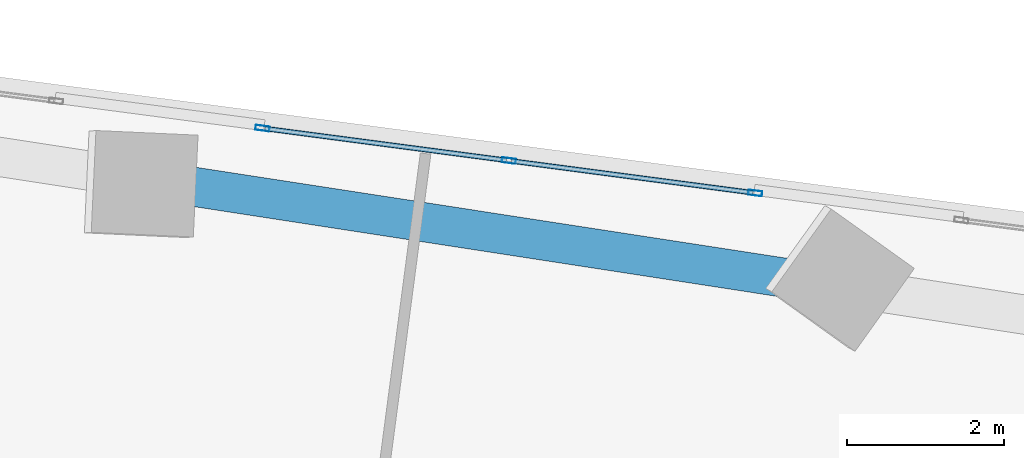
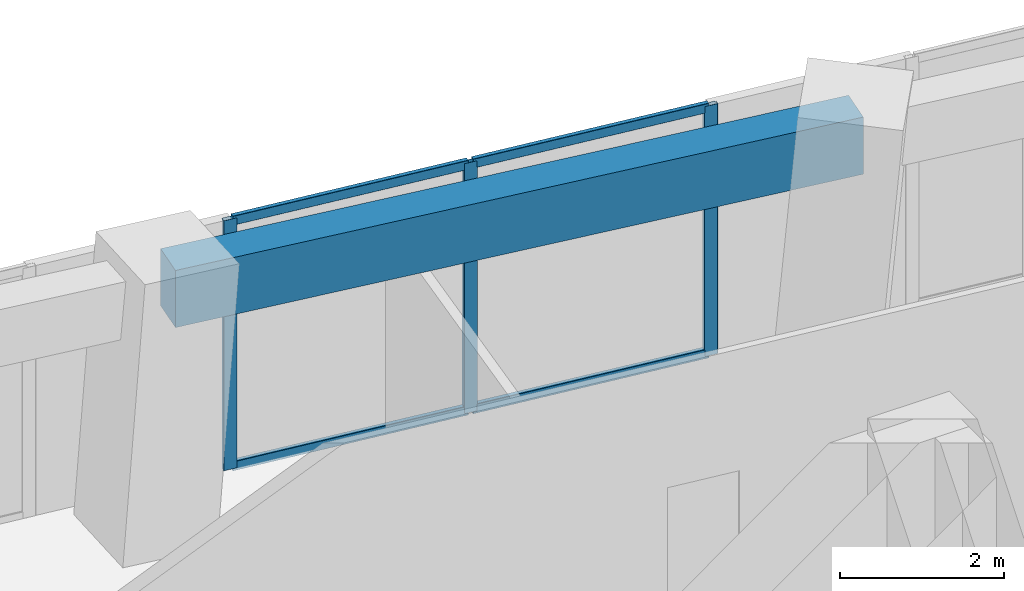
# One storey, part 16 of 24: 7 members, 1 beam, 1 element without a shape of its own.
"""IFC4 building model written with IfcOpenShell, lengths in metres."""

from ifc_helpers import new_model, si_unit, direction, frame, origin, origin_2d, place, context, subcontext, project, spatial, rectangle, hollow_rectangle, extrude, source, transform, mapped, material, material_profile, profile_set, type_object, element, aggregate, save


model = new_model("IFC4")

# Units and contexts
model_context = context("Model", 3, precision=1e-05, world=origin(), true_north=direction((0.0, 1.0)))
body_context = subcontext(model_context, "Body", "Model", "MODEL_VIEW")
ifc_project = project(units=[si_unit("LENGTHUNIT", "METRE"), si_unit("AREAUNIT", "SQUARE_METRE"), si_unit("VOLUMEUNIT", "CUBIC_METRE"), si_unit("PLANEANGLEUNIT", "RADIAN"), si_unit("MASSUNIT", "GRAM", prefix="KILO")], contexts=[model_context])

# Site, building, storey
site_placement = place(None, origin())
site = spatial("IfcSite", under=ifc_project, at=site_placement, CompositionType="ELEMENT")
building_placement = place(site_placement, origin())
building = spatial("IfcBuilding", under=site, at=building_placement, Name="Torre Montelarca", CompositionType="ELEMENT")
storey_placement = place(building_placement, frame((0.0, 0.0, 66.39990234375)))
storey = spatial("IfcBuildingStorey", under=building, at=storey_placement, Name="L14", CompositionType="ELEMENT", Elevation=66.39990234375)

# Beam
ifc_material_1 = material(Name="Concrete C55/67", Category="concrete")
ifc_material_profile_1 = material_profile(ifc_material_1, rectangle(XDim=0.5, YDim=0.85009765625, at=origin_2d()), Name="RCB500X850", Category="concrete")
ifc_profile_set_1 = profile_set([ifc_material_profile_1], Name="Concrete C55/67")
beam_type = type_object("IfcBeamType", Name="BM-SP-RC850-EXT", PredefinedType="SPANDREL", material=ifc_profile_set_1)
shared_shape_1 = source(origin(), body_context, "Body", "SweptSolid", [
    extrude(rectangle(XDim=0.5, YDim=0.85009765625, at=origin_2d()), origin(), (0.0, 0.0, 1.0), 9.0),
])
beam_placement = place(storey_placement, frame((20.345458984375, 47.506103515625, 3.53515625), z_axis=(0.988361032706, -0.152126490227, 0.0), x_axis=(0.152126490227, 0.988361032706, 0.0)))
element("IfcBeam", 1, at=beam_placement, inside=storey, type_object=beam_type, Name="L14 Grid Girder X 18.0-27.0 at Y=47.1", PredefinedType="SPANDREL", context=body_context, shape_type="MappedRepresentation", body=[
    mapped(shared_shape_1, transform((0.0, 0.0, 0.0), scale=1.0)),
])

# Curtain wall, members
ifc_material_2 = material(Name="Insulated low-E laminated glass", Category="glass")
curtain_wall_type = type_object("IfcCurtainWallType", Name="CW-SYS-Z1", PredefinedType="USERDEFINED", material=ifc_material_2)
curtain_wall_placement = place(storey_placement, origin())
curtain_wall = element("IfcCurtainWall", 2, at=curtain_wall_placement, inside=storey, type_object=curtain_wall_type, Name="L14 Curtain Wall Run CW-T3-L14-E08-B3", ObjectType="UNITISED GLAZING", PredefinedType="USERDEFINED")
ifc_material_3 = material(Name="Anodised aluminium AA 6063-T6", Category="aluminium")
ifc_material_profile_2 = material_profile(ifc_material_3, hollow_rectangle(XDim=0.06494140625, YDim=0.139892578125, WallThickness=0.00390625, InnerFilletRadius=0.00390625, OuterFilletRadius=0.008056640625, at=origin_2d()), Name="ALU65X140X4", Category="aluminium")
ifc_profile_set_2 = profile_set([ifc_material_profile_2], Name="Anodised aluminium AA 6063-T6")
member_type_1 = type_object("IfcMemberType", Name="CWT-ALU140", PredefinedType="USERDEFINED", material=ifc_profile_set_2)
shared_shape_2 = source(origin(), body_context, "Body", "SweptSolid", [
    extrude(hollow_rectangle(XDim=0.06494140625, YDim=0.139892578125, WallThickness=0.00390625, InnerFilletRadius=0.00390625, OuterFilletRadius=0.008056640625, at=origin_2d()), origin(), (0.0, 0.0, 1.0), 3.10693359375),
])
member_1_placement = place(storey_placement, frame((27.86572265625, 47.37060546875, 0.03271484375), z_axis=(-0.991445467051, 0.130521591565, 0.0), x_axis=(-0.130521591565, -0.991445467051, 0.0)))
member_1 = element("IfcMember", 3, at=member_1_placement, type_object=member_type_1, Name="CW transom 1.1", ObjectType="TRANSOM", PredefinedType="USERDEFINED", context=body_context, shape_type="MappedRepresentation", body=[
    mapped(shared_shape_2, transform((0.0, 0.0, 0.0), scale=1.0)),
])
member_2_placement = place(storey_placement, frame((27.86572265625, 47.37060546875, 3.6875), z_axis=(-0.991445467051, 0.130521591565, 0.0), x_axis=(-0.130521591565, -0.991445467051, 0.0)))
member_2 = element("IfcMember", 4, at=member_2_placement, type_object=member_type_1, Name="CW transom 1.2", ObjectType="TRANSOM", PredefinedType="USERDEFINED", context=body_context, shape_type="MappedRepresentation", body=[
    mapped(shared_shape_2, transform((0.0, 0.0, 0.0), scale=1.0)),
])
member_3_placement = place(storey_placement, frame((24.720947265625, 47.78466796875, 0.03271484375), z_axis=(-0.991445467051, 0.130521591565, 0.0), x_axis=(-0.130521591565, -0.991445467051, 0.0)))
member_3 = element("IfcMember", 5, at=member_3_placement, type_object=member_type_1, Name="CW transom 2.1", ObjectType="TRANSOM", PredefinedType="USERDEFINED", context=body_context, shape_type="MappedRepresentation", body=[
    mapped(shared_shape_2, transform((0.0, 0.0, 0.0), scale=1.0)),
])
member_4_placement = place(storey_placement, frame((24.720947265625, 47.78466796875, 3.6875), z_axis=(-0.991445467051, 0.130521591565, 0.0), x_axis=(-0.130521591565, -0.991445467051, 0.0)))
member_4 = element("IfcMember", 6, at=member_4_placement, type_object=member_type_1, Name="CW transom 2.2", ObjectType="TRANSOM", PredefinedType="USERDEFINED", context=body_context, shape_type="MappedRepresentation", body=[
    mapped(shared_shape_2, transform((0.0, 0.0, 0.0), scale=1.0)),
])
ifc_material_profile_3 = material_profile(ifc_material_3, hollow_rectangle(XDim=0.06494140625, YDim=0.179931640625, WallThickness=0.00390625, InnerFilletRadius=0.00390625, OuterFilletRadius=0.008056640625, at=origin_2d()), Name="ALU65X180X4", Category="aluminium")
ifc_profile_set_3 = profile_set([ifc_material_profile_3], Name="Anodised aluminium AA 6063-T6")
member_type_2 = type_object("IfcMemberType", Name="CWM-ALU180", PredefinedType="MULLION", material=ifc_profile_set_3)
shared_shape_3 = source(origin(), body_context, "Body", "SweptSolid", [
    extrude(hollow_rectangle(XDim=0.06494140625, YDim=0.179931640625, WallThickness=0.00390625, InnerFilletRadius=0.00390625, OuterFilletRadius=0.008056640625, at=origin_2d()), origin(), (0.0, 0.0, 1.0), 3.72021484375),
])
member_5_placement = place(storey_placement, frame((27.89794921875, 47.366455078125, 0.0), z_axis=(0.0, 0.0, 1.0), x_axis=(-0.130525148565, -0.991444998773, 0.0)))
member_5 = element("IfcMember", 7, at=member_5_placement, type_object=member_type_2, Name="CW mullion 1", PredefinedType="MULLION", context=body_context, shape_type="MappedRepresentation", body=[
    mapped(shared_shape_3, transform((0.0, 0.0, 0.0), scale=1.0)),
])
member_6_placement = place(storey_placement, frame((24.753173828125, 47.780517578125, 0.0), z_axis=(0.0, 0.0, 1.0), x_axis=(-0.130525148565, -0.991444998773, 0.0)))
member_6 = element("IfcMember", 8, at=member_6_placement, type_object=member_type_2, Name="CW mullion 2", PredefinedType="MULLION", context=body_context, shape_type="MappedRepresentation", body=[
    mapped(shared_shape_3, transform((0.0, 0.0, 0.0), scale=1.0)),
])
member_7_placement = place(storey_placement, frame((21.608642578125, 48.1943359375, 0.0), z_axis=(0.0, 0.0, 1.0), x_axis=(-0.130525148565, -0.991444998773, 0.0)))
member_7 = element("IfcMember", 9, at=member_7_placement, type_object=member_type_2, Name="CW mullion 3", PredefinedType="MULLION", context=body_context, shape_type="MappedRepresentation", body=[
    mapped(shared_shape_3, transform((0.0, 0.0, 0.0), scale=1.0)),
])
aggregate(curtain_wall, [member_5, member_6, member_7, member_1, member_2, member_3, member_4])

save(model, "model.ifc")
